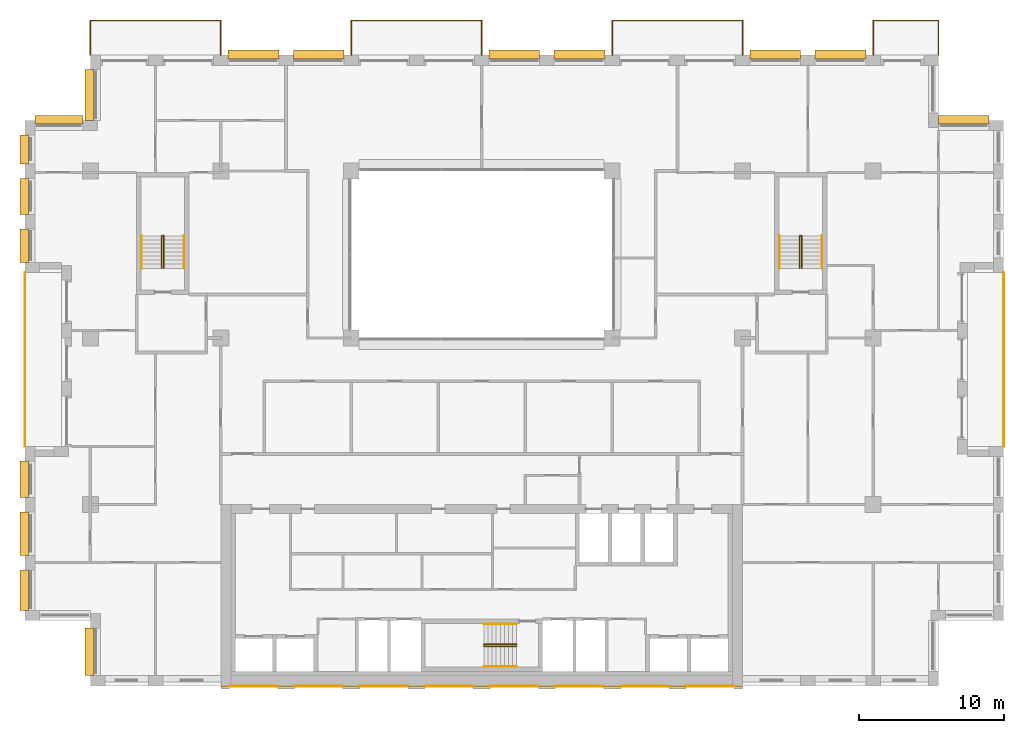
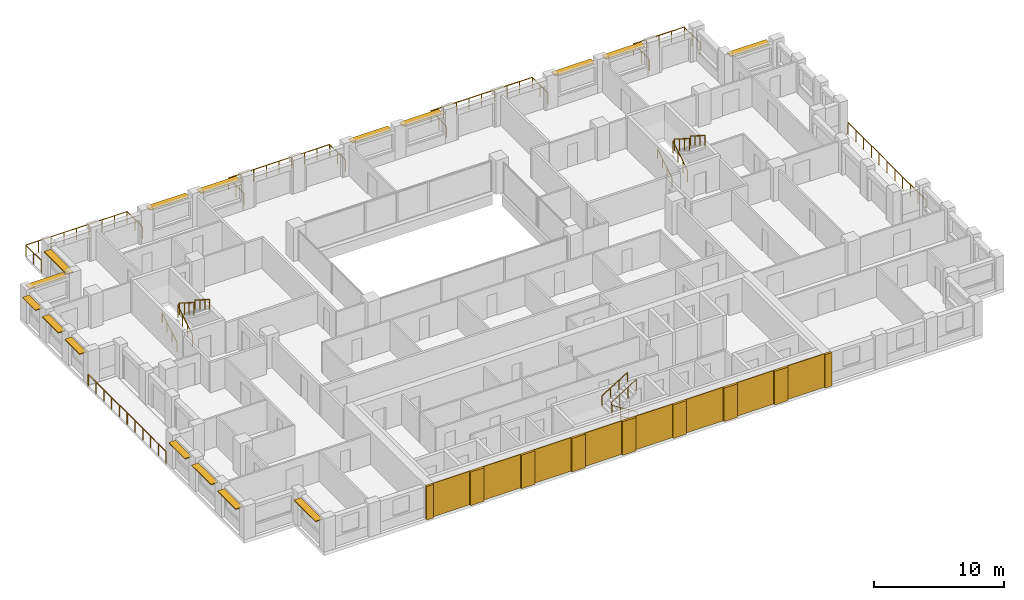
# One storey, part 16 of 16: 17 coverings, 16 shading devices, 15 railings.
"""IFC4 building model written with IfcOpenShell, lengths in metres."""

from ifc_helpers import new_model, si_unit, direction, frame, origin, origin_2d, place, context, subcontext, project, spatial, rectangle, circle, extrude, material, layer, layer_set, type_object, element, save


model = new_model("IFC4")

# Units and contexts
model_context = context("Model", 3, precision=1e-05, world=origin(), true_north=direction((0.0, 1.0)))
body_context = subcontext(model_context, "Body", "Model", "MODEL_VIEW")
ifc_project = project(units=[si_unit("LENGTHUNIT", "METRE"), si_unit("AREAUNIT", "SQUARE_METRE"), si_unit("VOLUMEUNIT", "CUBIC_METRE"), si_unit("PLANEANGLEUNIT", "RADIAN"), si_unit("MASSUNIT", "GRAM", prefix="KILO")], contexts=[model_context])

# Site, building, storey
site_placement = place(None, origin())
site = spatial("IfcSite", under=ifc_project, at=site_placement, CompositionType="ELEMENT")
building_placement = place(site_placement, origin())
building = spatial("IfcBuilding", under=site, at=building_placement, Name="Brigalow Station Residences", CompositionType="ELEMENT")
storey_placement = place(building_placement, frame((0.0, 0.0, 160.199951171875)))
storey = spatial("IfcBuildingStorey", under=building, at=storey_placement, Name="L46", CompositionType="ELEMENT", Elevation=160.199951171875)

# Railings
ifc_material_1 = material(Name="Stainless steel balustrade with laminated glass infill", Category="steel")
railing_type_1 = type_object("IfcRailingType", Name="BALCONY GUARD 1100", PredefinedType="GUARDRAIL", material=ifc_material_1)
railing_1_placement = place(storey_placement, frame((72.0, 16.5, -0.0400390625)))
element("IfcRailing", 1, at=railing_1_placement, inside=storey, type_object=railing_type_1, Name="L46/balcony-guard/1", PredefinedType="GUARDRAIL", context=body_context, shape_type="SweptSolid", body=[
    extrude(circle(Radius=0.02392578125, at=origin_2d()), frame((0.0, 0.0, 1.076171875), z_axis=(0.0, 1.0, 0.0), x_axis=(-1.0, 0.0, 0.0)), (0.0, 0.0, 1.0), 12.0),
    extrude(circle(Radius=0.02099609375, at=origin_2d()), origin(), (0.0, 0.0, 1.0), 1.052001953125),
    extrude(circle(Radius=0.02099609375, at=origin_2d()), frame((0.0, 1.199951171875, 0.0)), (0.0, 0.0, 1.0), 1.052001953125),
    extrude(circle(Radius=0.02099609375, at=origin_2d()), frame((0.0, 2.39990234375, 0.0)), (0.0, 0.0, 1.0), 1.052001953125),
    extrude(circle(Radius=0.02099609375, at=origin_2d()), frame((0.0, 3.60009765625, 0.0)), (0.0, 0.0, 1.0), 1.052001953125),
    extrude(circle(Radius=0.02099609375, at=origin_2d()), frame((0.0, 4.800048828125, 0.0)), (0.0, 0.0, 1.0), 1.052001953125),
    extrude(circle(Radius=0.02099609375, at=origin_2d()), frame((0.0, 6.0, 0.0)), (0.0, 0.0, 1.0), 1.052001953125),
    extrude(circle(Radius=0.02099609375, at=origin_2d()), frame((0.0, 7.199951171875, 0.0)), (0.0, 0.0, 1.0), 1.052001953125),
    extrude(circle(Radius=0.02099609375, at=origin_2d()), frame((0.0, 8.39990234375, 0.0)), (0.0, 0.0, 1.0), 1.052001953125),
    extrude(circle(Radius=0.02099609375, at=origin_2d()), frame((0.0, 9.60009765625, 0.0)), (0.0, 0.0, 1.0), 1.052001953125),
    extrude(circle(Radius=0.02099609375, at=origin_2d()), frame((0.0, 10.800048828125, 0.0)), (0.0, 0.0, 1.0), 1.052001953125),
    extrude(circle(Radius=0.02099609375, at=origin_2d()), frame((0.0, 12.0, 0.0)), (0.0, 0.0, 1.0), 1.052001953125),
])
railing_2_placement = place(storey_placement, frame((67.5, 43.5, -0.0400390625)))
element("IfcRailing", 2, at=railing_2_placement, inside=storey, type_object=railing_type_1, Name="L46/balcony-guard/2", PredefinedType="GUARDRAIL", context=body_context, shape_type="SweptSolid", body=[
    extrude(circle(Radius=0.02392578125, at=origin_2d()), frame((0.0, 0.0, 1.076171875), z_axis=(0.0, 1.0, 0.0), x_axis=(-1.0, 0.0, 0.0)), (0.0, 0.0, 1.0), 2.39990234375),
    extrude(circle(Radius=0.02392578125, at=origin_2d()), frame((0.0, 2.39990234375, 1.076171875), z_axis=(-1.0, 0.0, 0.0), x_axis=(0.0, -1.0, 0.0)), (0.0, 0.0, 1.0), 4.5),
    extrude(circle(Radius=0.02392578125, at=origin_2d()), frame((-4.5, 2.39990234375, 1.076171875), z_axis=(0.0, -1.0, 0.0), x_axis=(1.0, 0.0, 0.0)), (0.0, 0.0, 1.0), 2.39990234375),
    extrude(circle(Radius=0.02099609375, at=origin_2d()), origin(), (0.0, 0.0, 1.0), 1.052001953125),
    extrude(circle(Radius=0.02099609375, at=origin_2d()), frame((0.0, 1.199951171875, 0.0)), (0.0, 0.0, 1.0), 1.052001953125),
    extrude(circle(Radius=0.02099609375, at=origin_2d()), frame((0.0, 2.39990234375, 0.0)), (0.0, 0.0, 1.0), 1.052001953125),
    extrude(circle(Radius=0.02099609375, at=origin_2d()), frame((-1.125, 2.39990234375, 0.0)), (0.0, 0.0, 1.0), 1.052001953125),
    extrude(circle(Radius=0.02099609375, at=origin_2d()), frame((-2.25, 2.39990234375, 0.0)), (0.0, 0.0, 1.0), 1.052001953125),
    extrude(circle(Radius=0.02099609375, at=origin_2d()), frame((-3.375, 2.39990234375, 0.0)), (0.0, 0.0, 1.0), 1.052001953125),
    extrude(circle(Radius=0.02099609375, at=origin_2d()), frame((-4.5, 2.39990234375, 0.0)), (0.0, 0.0, 1.0), 1.052001953125),
    extrude(circle(Radius=0.02099609375, at=origin_2d()), frame((-4.5, 1.199951171875, 0.0)), (0.0, 0.0, 1.0), 1.052001953125),
    extrude(circle(Radius=0.02099609375, at=origin_2d()), frame((-4.5, 0.0, 0.0)), (0.0, 0.0, 1.0), 1.052001953125),
])
railing_3_placement = place(storey_placement, frame((54.0, 43.5, -0.0400390625)))
element("IfcRailing", 3, at=railing_3_placement, inside=storey, type_object=railing_type_1, Name="L46/balcony-guard/3", PredefinedType="GUARDRAIL", context=body_context, shape_type="SweptSolid", body=[
    extrude(circle(Radius=0.02392578125, at=origin_2d()), frame((0.0, 0.0, 1.076171875), z_axis=(0.0, 1.0, 0.0), x_axis=(-1.0, 0.0, 0.0)), (0.0, 0.0, 1.0), 2.39990234375),
    extrude(circle(Radius=0.02392578125, at=origin_2d()), frame((0.0, 2.39990234375, 1.076171875), z_axis=(-1.0, 0.0, 0.0), x_axis=(0.0, -1.0, 0.0)), (0.0, 0.0, 1.0), 9.0),
    extrude(circle(Radius=0.02392578125, at=origin_2d()), frame((-9.0, 2.39990234375, 1.076171875), z_axis=(0.0, -1.0, 0.0), x_axis=(1.0, 0.0, 0.0)), (0.0, 0.0, 1.0), 2.39990234375),
    extrude(circle(Radius=0.02099609375, at=origin_2d()), origin(), (0.0, 0.0, 1.0), 1.052001953125),
    extrude(circle(Radius=0.02099609375, at=origin_2d()), frame((0.0, 1.199951171875, 0.0)), (0.0, 0.0, 1.0), 1.052001953125),
    extrude(circle(Radius=0.02099609375, at=origin_2d()), frame((0.0, 2.39990234375, 0.0)), (0.0, 0.0, 1.0), 1.052001953125),
    extrude(circle(Radius=0.02099609375, at=origin_2d()), frame((-1.125, 2.39990234375, 0.0)), (0.0, 0.0, 1.0), 1.052001953125),
    extrude(circle(Radius=0.02099609375, at=origin_2d()), frame((-2.25, 2.39990234375, 0.0)), (0.0, 0.0, 1.0), 1.052001953125),
    extrude(circle(Radius=0.02099609375, at=origin_2d()), frame((-3.375, 2.39990234375, 0.0)), (0.0, 0.0, 1.0), 1.052001953125),
    extrude(circle(Radius=0.02099609375, at=origin_2d()), frame((-4.5, 2.39990234375, 0.0)), (0.0, 0.0, 1.0), 1.052001953125),
    extrude(circle(Radius=0.02099609375, at=origin_2d()), frame((-5.625, 2.39990234375, 0.0)), (0.0, 0.0, 1.0), 1.052001953125),
    extrude(circle(Radius=0.02099609375, at=origin_2d()), frame((-6.75, 2.39990234375, 0.0)), (0.0, 0.0, 1.0), 1.052001953125),
    extrude(circle(Radius=0.02099609375, at=origin_2d()), frame((-7.875, 2.39990234375, 0.0)), (0.0, 0.0, 1.0), 1.052001953125),
    extrude(circle(Radius=0.02099609375, at=origin_2d()), frame((-9.0, 2.39990234375, 0.0)), (0.0, 0.0, 1.0), 1.052001953125),
    extrude(circle(Radius=0.02099609375, at=origin_2d()), frame((-9.0, 1.199951171875, 0.0)), (0.0, 0.0, 1.0), 1.052001953125),
    extrude(circle(Radius=0.02099609375, at=origin_2d()), frame((-9.0, 0.0, 0.0)), (0.0, 0.0, 1.0), 1.052001953125),
])
railing_4_placement = place(storey_placement, frame((36.0, 43.5, -0.0400390625)))
element("IfcRailing", 4, at=railing_4_placement, inside=storey, type_object=railing_type_1, Name="L46/balcony-guard/4", PredefinedType="GUARDRAIL", context=body_context, shape_type="SweptSolid", body=[
    extrude(circle(Radius=0.02392578125, at=origin_2d()), frame((0.0, 0.0, 1.076171875), z_axis=(0.0, 1.0, 0.0), x_axis=(-1.0, 0.0, 0.0)), (0.0, 0.0, 1.0), 2.39990234375),
    extrude(circle(Radius=0.02392578125, at=origin_2d()), frame((0.0, 2.39990234375, 1.076171875), z_axis=(-1.0, 0.0, 0.0), x_axis=(0.0, -1.0, 0.0)), (0.0, 0.0, 1.0), 9.0),
    extrude(circle(Radius=0.02392578125, at=origin_2d()), frame((-9.0, 2.39990234375, 1.076171875), z_axis=(0.0, -1.0, 0.0), x_axis=(1.0, 0.0, 0.0)), (0.0, 0.0, 1.0), 2.39990234375),
    extrude(circle(Radius=0.02099609375, at=origin_2d()), origin(), (0.0, 0.0, 1.0), 1.052001953125),
    extrude(circle(Radius=0.02099609375, at=origin_2d()), frame((0.0, 1.199951171875, 0.0)), (0.0, 0.0, 1.0), 1.052001953125),
    extrude(circle(Radius=0.02099609375, at=origin_2d()), frame((0.0, 2.39990234375, 0.0)), (0.0, 0.0, 1.0), 1.052001953125),
    extrude(circle(Radius=0.02099609375, at=origin_2d()), frame((-1.125, 2.39990234375, 0.0)), (0.0, 0.0, 1.0), 1.052001953125),
    extrude(circle(Radius=0.02099609375, at=origin_2d()), frame((-2.25, 2.39990234375, 0.0)), (0.0, 0.0, 1.0), 1.052001953125),
    extrude(circle(Radius=0.02099609375, at=origin_2d()), frame((-3.375, 2.39990234375, 0.0)), (0.0, 0.0, 1.0), 1.052001953125),
    extrude(circle(Radius=0.02099609375, at=origin_2d()), frame((-4.5, 2.39990234375, 0.0)), (0.0, 0.0, 1.0), 1.052001953125),
    extrude(circle(Radius=0.02099609375, at=origin_2d()), frame((-5.625, 2.39990234375, 0.0)), (0.0, 0.0, 1.0), 1.052001953125),
    extrude(circle(Radius=0.02099609375, at=origin_2d()), frame((-6.75, 2.39990234375, 0.0)), (0.0, 0.0, 1.0), 1.052001953125),
    extrude(circle(Radius=0.02099609375, at=origin_2d()), frame((-7.875, 2.39990234375, 0.0)), (0.0, 0.0, 1.0), 1.052001953125),
    extrude(circle(Radius=0.02099609375, at=origin_2d()), frame((-9.0, 2.39990234375, 0.0)), (0.0, 0.0, 1.0), 1.052001953125),
    extrude(circle(Radius=0.02099609375, at=origin_2d()), frame((-9.0, 1.199951171875, 0.0)), (0.0, 0.0, 1.0), 1.052001953125),
    extrude(circle(Radius=0.02099609375, at=origin_2d()), frame((-9.0, 0.0, 0.0)), (0.0, 0.0, 1.0), 1.052001953125),
])
railing_5_placement = place(storey_placement, frame((18.0, 43.5, -0.0400390625)))
element("IfcRailing", 5, at=railing_5_placement, inside=storey, type_object=railing_type_1, Name="L46/balcony-guard/5", PredefinedType="GUARDRAIL", context=body_context, shape_type="SweptSolid", body=[
    extrude(circle(Radius=0.02392578125, at=origin_2d()), frame((0.0, 0.0, 1.076171875), z_axis=(0.0, 1.0, 0.0), x_axis=(-1.0, 0.0, 0.0)), (0.0, 0.0, 1.0), 2.39990234375),
    extrude(circle(Radius=0.02392578125, at=origin_2d()), frame((0.0, 2.39990234375, 1.076171875), z_axis=(-1.0, 0.0, 0.0), x_axis=(0.0, -1.0, 0.0)), (0.0, 0.0, 1.0), 9.0),
    extrude(circle(Radius=0.02392578125, at=origin_2d()), frame((-9.0, 2.39990234375, 1.076171875), z_axis=(0.0, -1.0, 0.0), x_axis=(1.0, 0.0, 0.0)), (0.0, 0.0, 1.0), 2.39990234375),
    extrude(circle(Radius=0.02099609375, at=origin_2d()), origin(), (0.0, 0.0, 1.0), 1.052001953125),
    extrude(circle(Radius=0.02099609375, at=origin_2d()), frame((0.0, 1.199951171875, 0.0)), (0.0, 0.0, 1.0), 1.052001953125),
    extrude(circle(Radius=0.02099609375, at=origin_2d()), frame((0.0, 2.39990234375, 0.0)), (0.0, 0.0, 1.0), 1.052001953125),
    extrude(circle(Radius=0.02099609375, at=origin_2d()), frame((-1.125, 2.39990234375, 0.0)), (0.0, 0.0, 1.0), 1.052001953125),
    extrude(circle(Radius=0.02099609375, at=origin_2d()), frame((-2.25, 2.39990234375, 0.0)), (0.0, 0.0, 1.0), 1.052001953125),
    extrude(circle(Radius=0.02099609375, at=origin_2d()), frame((-3.375, 2.39990234375, 0.0)), (0.0, 0.0, 1.0), 1.052001953125),
    extrude(circle(Radius=0.02099609375, at=origin_2d()), frame((-4.5, 2.39990234375, 0.0)), (0.0, 0.0, 1.0), 1.052001953125),
    extrude(circle(Radius=0.02099609375, at=origin_2d()), frame((-5.625, 2.39990234375, 0.0)), (0.0, 0.0, 1.0), 1.052001953125),
    extrude(circle(Radius=0.02099609375, at=origin_2d()), frame((-6.75, 2.39990234375, 0.0)), (0.0, 0.0, 1.0), 1.052001953125),
    extrude(circle(Radius=0.02099609375, at=origin_2d()), frame((-7.875, 2.39990234375, 0.0)), (0.0, 0.0, 1.0), 1.052001953125),
    extrude(circle(Radius=0.02099609375, at=origin_2d()), frame((-9.0, 2.39990234375, 0.0)), (0.0, 0.0, 1.0), 1.052001953125),
    extrude(circle(Radius=0.02099609375, at=origin_2d()), frame((-9.0, 1.199951171875, 0.0)), (0.0, 0.0, 1.0), 1.052001953125),
    extrude(circle(Radius=0.02099609375, at=origin_2d()), frame((-9.0, 0.0, 0.0)), (0.0, 0.0, 1.0), 1.052001953125),
])
railing_6_placement = place(storey_placement, frame((4.5, 28.5, -0.0400390625)))
element("IfcRailing", 6, at=railing_6_placement, inside=storey, type_object=railing_type_1, Name="L46/balcony-guard/6", PredefinedType="GUARDRAIL", context=body_context, shape_type="SweptSolid", body=[
    extrude(circle(Radius=0.02392578125, at=origin_2d()), frame((0.0, 0.0, 1.076171875), z_axis=(0.0, -1.0, 0.0), x_axis=(1.0, 0.0, 0.0)), (0.0, 0.0, 1.0), 12.0),
    extrude(circle(Radius=0.02099609375, at=origin_2d()), origin(), (0.0, 0.0, 1.0), 1.052001953125),
    extrude(circle(Radius=0.02099609375, at=origin_2d()), frame((0.0, -1.199951171875, 0.0)), (0.0, 0.0, 1.0), 1.052001953125),
    extrude(circle(Radius=0.02099609375, at=origin_2d()), frame((0.0, -2.39990234375, 0.0)), (0.0, 0.0, 1.0), 1.052001953125),
    extrude(circle(Radius=0.02099609375, at=origin_2d()), frame((0.0, -3.60009765625, 0.0)), (0.0, 0.0, 1.0), 1.052001953125),
    extrude(circle(Radius=0.02099609375, at=origin_2d()), frame((0.0, -4.800048828125, 0.0)), (0.0, 0.0, 1.0), 1.052001953125),
    extrude(circle(Radius=0.02099609375, at=origin_2d()), frame((0.0, -6.0, 0.0)), (0.0, 0.0, 1.0), 1.052001953125),
    extrude(circle(Radius=0.02099609375, at=origin_2d()), frame((0.0, -7.199951171875, 0.0)), (0.0, 0.0, 1.0), 1.052001953125),
    extrude(circle(Radius=0.02099609375, at=origin_2d()), frame((0.0, -8.39990234375, 0.0)), (0.0, 0.0, 1.0), 1.052001953125),
    extrude(circle(Radius=0.02099609375, at=origin_2d()), frame((0.0, -9.60009765625, 0.0)), (0.0, 0.0, 1.0), 1.052001953125),
    extrude(circle(Radius=0.02099609375, at=origin_2d()), frame((0.0, -10.800048828125, 0.0)), (0.0, 0.0, 1.0), 1.052001953125),
    extrude(circle(Radius=0.02099609375, at=origin_2d()), frame((0.0, -12.0, 0.0)), (0.0, 0.0, 1.0), 1.052001953125),
])

# Coverings
ifc_material_2 = material(Name="Clay brick masonry", Category="masonry")
ifc_layer_1 = layer(ifc_material_2, 0.06005859375)
ifc_layer_set_1 = layer_set([ifc_layer_1], Name="BRICK PANEL FACING 60")
covering_type_1 = type_object("IfcCoveringType", Name="BRICK PANEL FACING 60", PredefinedType="CLADDING", material=ifc_layer_set_1)
for number, where, z_axis, x_axis, name in (
    (7, (20.25, -0.030029296875, 0.0), (0.0, 0.0, 1.0), (1.0, 0.0, 0.0), "L46/rear-facing/panel-1"),
    (8, (24.75, -0.030029296875, 0.0), (0.0, 0.0, 1.0), (1.0, 0.0, 0.0), "L46/rear-facing/panel-2"),
    (9, (29.25, -0.030029296875, 0.0), (0.0, 0.0, 1.0), (1.0, 0.0, 0.0), "L46/rear-facing/panel-3"),
    (10, (33.75, -0.030029296875, 0.0), (0.0, 0.0, 1.0), (1.0, 0.0, 0.0), "L46/rear-facing/panel-4"),
    (11, (38.25, -0.030029296875, 0.0), (0.0, 0.0, 1.0), (1.0, 0.0, 0.0), "L46/rear-facing/panel-5"),
    (12, (42.75, -0.030029296875, 0.0), (0.0, 0.0, 1.0), (1.0, 0.0, 0.0), "L46/rear-facing/panel-6"),
    (13, (47.25, -0.030029296875, 0.0), (0.0, 0.0, 1.0), (1.0, 0.0, 0.0), "L46/rear-facing/panel-7"),
    (14, (51.75, -0.030029296875, 0.0), (0.0, 0.0, 1.0), (1.0, 0.0, 0.0), "L46/rear-facing/panel-8"),
):
    element("IfcCovering", number, at=place(storey_placement, frame(where, z_axis=z_axis, x_axis=x_axis)), inside=storey, type_object=covering_type_1, Name=name, PredefinedType="CLADDING", context=body_context, shape_type="SweptSolid", body=[
        extrude(rectangle(XDim=3.300048828125, YDim=0.06005859375, at=origin_2d()), origin(), (0.0, 0.0, 1.0), 3.14990234375),
    ])
ifc_material_3 = material(Name="Clay brick masonry", Category="masonry")
ifc_layer_2 = layer(ifc_material_3, 0.199951171875)
ifc_layer_set_2 = layer_set([ifc_layer_2], Name="BRICK PIER FACING 200")
covering_type_2 = type_object("IfcCoveringType", Name="BRICK PIER FACING 200", PredefinedType="CLADDING", material=ifc_layer_set_2)
covering_1_placement = place(storey_placement, frame((18.300048828125, -0.10009765625, 0.0), z_axis=(0.0, 0.0, 1.0), x_axis=(1.0, 0.0, 0.0)))
element("IfcCovering", 15, at=covering_1_placement, inside=storey, type_object=covering_type_2, Name="L46/rear-facing/pier-1", PredefinedType="CLADDING", context=body_context, shape_type="SweptSolid", body=[
    extrude(rectangle(XDim=0.60009765625, YDim=0.199951171875, at=origin_2d()), origin(), (0.0, 0.0, 1.0), 3.14990234375),
])
for number, where, z_axis, x_axis, name in (
    (16, (22.5, -0.10009765625, 0.0), (0.0, 0.0, 1.0), (1.0, 0.0, 0.0), "L46/rear-facing/pier-2"),
    (17, (27.0, -0.10009765625, 0.0), (0.0, 0.0, 1.0), (1.0, 0.0, 0.0), "L46/rear-facing/pier-3"),
    (18, (31.5, -0.10009765625, 0.0), (0.0, 0.0, 1.0), (1.0, 0.0, 0.0), "L46/rear-facing/pier-4"),
    (19, (36.0, -0.10009765625, 0.0), (0.0, 0.0, 1.0), (1.0, 0.0, 0.0), "L46/rear-facing/pier-5"),
    (20, (40.5, -0.10009765625, 0.0), (0.0, 0.0, 1.0), (1.0, 0.0, 0.0), "L46/rear-facing/pier-6"),
    (21, (45.0, -0.10009765625, 0.0), (0.0, 0.0, 1.0), (1.0, 0.0, 0.0), "L46/rear-facing/pier-7"),
    (22, (49.5, -0.10009765625, 0.0), (0.0, 0.0, 1.0), (1.0, 0.0, 0.0), "L46/rear-facing/pier-8"),
):
    element("IfcCovering", number, at=place(storey_placement, frame(where, z_axis=z_axis, x_axis=x_axis)), inside=storey, type_object=covering_type_2, Name=name, PredefinedType="CLADDING", context=body_context, shape_type="SweptSolid", body=[
        extrude(rectangle(XDim=1.199951171875, YDim=0.199951171875, at=origin_2d()), origin(), (0.0, 0.0, 1.0), 3.14990234375),
    ])
covering_2_placement = place(storey_placement, frame((53.699951171875, -0.10009765625, 0.0), z_axis=(0.0, 0.0, 1.0), x_axis=(1.0, 0.0, 0.0)))
element("IfcCovering", 23, at=covering_2_placement, inside=storey, type_object=covering_type_2, Name="L46/rear-facing/pier-9", PredefinedType="CLADDING", context=body_context, shape_type="SweptSolid", body=[
    extrude(rectangle(XDim=0.60009765625, YDim=0.199951171875, at=origin_2d()), origin(), (0.0, 0.0, 1.0), 3.14990234375),
])

# Railings
ifc_material_4 = material(Name="Stainless steel balustrade", Category="steel")
railing_type_2 = type_object("IfcRailingType", Name="STAIR GUARD 1100", PredefinedType="GUARDRAIL", material=ifc_material_4)
railing_7_placement = place(storey_placement, frame((38.39990234375, 2.72998046875, 0.175048828125)))
element("IfcRailing", 24, at=railing_7_placement, inside=storey, type_object=railing_type_2, Name="GUARD GR-2", PredefinedType="GUARDRAIL", context=body_context, shape_type="SweptSolid", body=[
    extrude(circle(Radius=0.02392578125, at=origin_2d()), frame((0.0, 0.0, 1.076171875), z_axis=(-0.848013881152, 0.0, 0.529974015752), x_axis=(0.0, -1.0, 0.0)), (0.0, 0.0, 1.0), 2.641357421875),
    extrude(circle(Radius=0.02392578125, at=origin_2d()), frame((-2.239990234375, 0.0, 2.47607421875), z_axis=(0.0, 0.624960567888, 0.780656319122), x_axis=(-1.0, 0.0, 0.0)), (0.0, 0.0, 1.0), 0.22412109375),
    extrude(circle(Radius=0.02392578125, at=origin_2d()), frame((-2.239990234375, 0.14013671875, 2.65087890625), z_axis=(0.847972341737, 0.0, 0.530040477369), x_axis=(0.0, 1.0, 0.0)), (0.0, 0.0, 1.0), 2.6416015625),
    extrude(circle(Radius=0.02099609375, at=origin_2d()), origin(), (0.0, 0.0, 1.0), 1.052001953125),
    extrude(circle(Radius=0.02099609375, at=origin_2d()), frame((-0.74658203125, 0.0, 0.466552734375)), (0.0, 0.0, 1.0), 1.052001953125),
    extrude(circle(Radius=0.02099609375, at=origin_2d()), frame((-1.493408203125, 0.0, 0.933349609375)), (0.0, 0.0, 1.0), 1.052001953125),
    extrude(circle(Radius=0.02099609375, at=origin_2d()), frame((-2.239990234375, 0.0, 1.39990234375)), (0.0, 0.0, 1.0), 1.052001953125),
    extrude(circle(Radius=0.02099609375, at=origin_2d()), frame((-2.239990234375, 0.14013671875, 1.574951171875)), (0.0, 0.0, 1.0), 1.052001953125),
    extrude(circle(Radius=0.02099609375, at=origin_2d()), frame((-1.493408203125, 0.14013671875, 2.041748046875)), (0.0, 0.0, 1.0), 1.052001953125),
    extrude(circle(Radius=0.02099609375, at=origin_2d()), frame((-0.74658203125, 0.14013671875, 2.50830078125)), (0.0, 0.0, 1.0), 1.052001953125),
    extrude(circle(Radius=0.02099609375, at=origin_2d()), frame((0.0, 0.14013671875, 2.97509765625)), (0.0, 0.0, 1.0), 1.052001953125),
])
for number, where, name in (
    (25, (13.929931640625, 28.800048828125, 0.175048828125), "GUARD GR-1"),
    (26, (57.929931640625, 28.800048828125, 0.175048828125), "GUARD GR-3"),
):
    element("IfcRailing", number, at=place(storey_placement, frame(where)), inside=storey, type_object=railing_type_2, Name=name, PredefinedType="GUARDRAIL", context=body_context, shape_type="SweptSolid", body=[
        extrude(circle(Radius=0.02392578125, at=origin_2d()), frame((0.0, 0.0, 1.076171875), z_axis=(0.0, 0.848013881152, 0.529974015752), x_axis=(-1.0, 0.0, 0.0)), (0.0, 0.0, 1.0), 2.641357421875),
        extrude(circle(Radius=0.02392578125, at=origin_2d()), frame((0.0, 2.239990234375, 2.47607421875), z_axis=(0.624960567888, 0.0, 0.780656319122), x_axis=(0.0, 1.0, 0.0)), (0.0, 0.0, 1.0), 0.22412109375),
        extrude(circle(Radius=0.02392578125, at=origin_2d()), frame((0.14013671875, 2.239990234375, 2.65087890625), z_axis=(0.0, -0.847972341737, 0.530040477369), x_axis=(1.0, 0.0, 0.0)), (0.0, 0.0, 1.0), 2.6416015625),
        extrude(circle(Radius=0.02099609375, at=origin_2d()), origin(), (0.0, 0.0, 1.0), 1.052001953125),
        extrude(circle(Radius=0.02099609375, at=origin_2d()), frame((0.0, 0.74658203125, 0.466552734375)), (0.0, 0.0, 1.0), 1.052001953125),
        extrude(circle(Radius=0.02099609375, at=origin_2d()), frame((0.0, 1.493408203125, 0.933349609375)), (0.0, 0.0, 1.0), 1.052001953125),
        extrude(circle(Radius=0.02099609375, at=origin_2d()), frame((0.0, 2.239990234375, 1.39990234375)), (0.0, 0.0, 1.0), 1.052001953125),
        extrude(circle(Radius=0.02099609375, at=origin_2d()), frame((0.14013671875, 2.239990234375, 1.574951171875)), (0.0, 0.0, 1.0), 1.052001953125),
        extrude(circle(Radius=0.02099609375, at=origin_2d()), frame((0.14013671875, 1.493408203125, 2.041748046875)), (0.0, 0.0, 1.0), 1.052001953125),
        extrude(circle(Radius=0.02099609375, at=origin_2d()), frame((0.14013671875, 0.74658203125, 2.50830078125)), (0.0, 0.0, 1.0), 1.052001953125),
        extrude(circle(Radius=0.02099609375, at=origin_2d()), frame((0.14013671875, 0.0, 2.97509765625)), (0.0, 0.0, 1.0), 1.052001953125),
    ])
ifc_material_5 = material(Name="Stainless steel handrail", Category="steel")
railing_type_3 = type_object("IfcRailingType", Name="STAIR HANDRAIL 900", PredefinedType="HANDRAIL", material=ifc_material_5)
railing_8_placement = place(storey_placement, frame((38.39990234375, 1.340087890625, 0.175048828125)))
element("IfcRailing", 27, at=railing_8_placement, inside=storey, type_object=railing_type_3, Name="HANDRAIL HR-21", PredefinedType="HANDRAIL", context=body_context, shape_type="SweptSolid", body=[
    extrude(circle(Radius=0.02392578125, at=origin_2d()), frame((0.0, 0.0, 0.8759765625), z_axis=(-0.848013881152, 0.0, 0.529974015752), x_axis=(0.0, -1.0, 0.0)), (0.0, 0.0, 1.0), 2.641357421875),
    extrude(circle(Radius=0.02099609375, at=origin_2d()), origin(), (0.0, 0.0, 1.0), 0.851806640625),
    extrude(circle(Radius=0.02099609375, at=origin_2d()), frame((-0.74658203125, 0.0, 0.466552734375)), (0.0, 0.0, 1.0), 0.851806640625),
    extrude(circle(Radius=0.02099609375, at=origin_2d()), frame((-1.493408203125, 0.0, 0.933349609375)), (0.0, 0.0, 1.0), 0.851806640625),
    extrude(circle(Radius=0.02099609375, at=origin_2d()), frame((-2.239990234375, 0.0, 1.39990234375)), (0.0, 0.0, 1.0), 0.851806640625),
])
railing_9_placement = place(storey_placement, frame((36.159912109375, 4.260009765625, 1.75)))
element("IfcRailing", 28, at=railing_9_placement, inside=storey, type_object=railing_type_3, Name="HANDRAIL HR-22", PredefinedType="HANDRAIL", context=body_context, shape_type="SweptSolid", body=[
    extrude(circle(Radius=0.02392578125, at=origin_2d()), frame((0.0, 0.0, 0.8759765625), z_axis=(0.847972341737, 0.0, 0.530040477369), x_axis=(0.0, 1.0, 0.0)), (0.0, 0.0, 1.0), 2.6416015625),
    extrude(circle(Radius=0.02099609375, at=origin_2d()), origin(), (0.0, 0.0, 1.0), 0.851806640625),
    extrude(circle(Radius=0.02099609375, at=origin_2d()), frame((0.74658203125, 0.0, 0.466796875)), (0.0, 0.0, 1.0), 0.851806640625),
    extrude(circle(Radius=0.02099609375, at=origin_2d()), frame((1.493408203125, 0.0, 0.933349609375)), (0.0, 0.0, 1.0), 0.851806640625),
    extrude(circle(Radius=0.02099609375, at=origin_2d()), frame((2.239990234375, 0.0, 1.400146484375)), (0.0, 0.0, 1.0), 0.851806640625),
])
railing_10_placement = place(storey_placement, frame((12.5400390625, 28.800048828125, 0.175048828125)))
element("IfcRailing", 29, at=railing_10_placement, inside=storey, type_object=railing_type_3, Name="HANDRAIL HR-11", PredefinedType="HANDRAIL", context=body_context, shape_type="SweptSolid", body=[
    extrude(circle(Radius=0.02392578125, at=origin_2d()), frame((0.0, 0.0, 0.8759765625), z_axis=(0.0, 0.848013881152, 0.529974015752), x_axis=(-1.0, 0.0, 0.0)), (0.0, 0.0, 1.0), 2.641357421875),
    extrude(circle(Radius=0.02099609375, at=origin_2d()), origin(), (0.0, 0.0, 1.0), 0.851806640625),
    extrude(circle(Radius=0.02099609375, at=origin_2d()), frame((0.0, 0.74658203125, 0.466552734375)), (0.0, 0.0, 1.0), 0.851806640625),
    extrude(circle(Radius=0.02099609375, at=origin_2d()), frame((0.0, 1.493408203125, 0.933349609375)), (0.0, 0.0, 1.0), 0.851806640625),
    extrude(circle(Radius=0.02099609375, at=origin_2d()), frame((0.0, 2.239990234375, 1.39990234375)), (0.0, 0.0, 1.0), 0.851806640625),
])
railing_11_placement = place(storey_placement, frame((15.4599609375, 31.0400390625, 1.75)))
element("IfcRailing", 30, at=railing_11_placement, inside=storey, type_object=railing_type_3, Name="HANDRAIL HR-12", PredefinedType="HANDRAIL", context=body_context, shape_type="SweptSolid", body=[
    extrude(circle(Radius=0.02392578125, at=origin_2d()), frame((0.0, 0.0, 0.8759765625), z_axis=(0.0, -0.847972341737, 0.530040477369), x_axis=(1.0, 0.0, 0.0)), (0.0, 0.0, 1.0), 2.6416015625),
    extrude(circle(Radius=0.02099609375, at=origin_2d()), origin(), (0.0, 0.0, 1.0), 0.851806640625),
    extrude(circle(Radius=0.02099609375, at=origin_2d()), frame((0.0, -0.74658203125, 0.466796875)), (0.0, 0.0, 1.0), 0.851806640625),
    extrude(circle(Radius=0.02099609375, at=origin_2d()), frame((0.0, -1.493408203125, 0.933349609375)), (0.0, 0.0, 1.0), 0.851806640625),
    extrude(circle(Radius=0.02099609375, at=origin_2d()), frame((0.0, -2.239990234375, 1.400146484375)), (0.0, 0.0, 1.0), 0.851806640625),
])
railing_12_placement = place(storey_placement, frame((56.5400390625, 28.800048828125, 0.175048828125)))
element("IfcRailing", 31, at=railing_12_placement, inside=storey, type_object=railing_type_3, Name="HANDRAIL HR-31", PredefinedType="HANDRAIL", context=body_context, shape_type="SweptSolid", body=[
    extrude(circle(Radius=0.02392578125, at=origin_2d()), frame((0.0, 0.0, 0.8759765625), z_axis=(0.0, 0.848013881152, 0.529974015752), x_axis=(-1.0, 0.0, 0.0)), (0.0, 0.0, 1.0), 2.641357421875),
    extrude(circle(Radius=0.02099609375, at=origin_2d()), origin(), (0.0, 0.0, 1.0), 0.851806640625),
    extrude(circle(Radius=0.02099609375, at=origin_2d()), frame((0.0, 0.74658203125, 0.466552734375)), (0.0, 0.0, 1.0), 0.851806640625),
    extrude(circle(Radius=0.02099609375, at=origin_2d()), frame((0.0, 1.493408203125, 0.933349609375)), (0.0, 0.0, 1.0), 0.851806640625),
    extrude(circle(Radius=0.02099609375, at=origin_2d()), frame((0.0, 2.239990234375, 1.39990234375)), (0.0, 0.0, 1.0), 0.851806640625),
])
railing_13_placement = place(storey_placement, frame((59.4599609375, 31.0400390625, 1.75)))
element("IfcRailing", 32, at=railing_13_placement, inside=storey, type_object=railing_type_3, Name="HANDRAIL HR-32", PredefinedType="HANDRAIL", context=body_context, shape_type="SweptSolid", body=[
    extrude(circle(Radius=0.02392578125, at=origin_2d()), frame((0.0, 0.0, 0.8759765625), z_axis=(0.0, -0.847972341737, 0.530040477369), x_axis=(1.0, 0.0, 0.0)), (0.0, 0.0, 1.0), 2.6416015625),
    extrude(circle(Radius=0.02099609375, at=origin_2d()), origin(), (0.0, 0.0, 1.0), 0.851806640625),
    extrude(circle(Radius=0.02099609375, at=origin_2d()), frame((0.0, -0.74658203125, 0.466796875)), (0.0, 0.0, 1.0), 0.851806640625),
    extrude(circle(Radius=0.02099609375, at=origin_2d()), frame((0.0, -1.493408203125, 0.933349609375)), (0.0, 0.0, 1.0), 0.851806640625),
    extrude(circle(Radius=0.02099609375, at=origin_2d()), frame((0.0, -2.239990234375, 1.400146484375)), (0.0, 0.0, 1.0), 0.851806640625),
])

# Shading devices
ifc_material_6 = material(Name="Powder-coated extruded aluminium blade", Category="aluminium")
ifc_layer_3 = layer(ifc_material_6, 0.080078125)
ifc_layer_set_3 = layer_set([ifc_layer_3], Name="SUNSHADE BLADE 600x80")
shading_device_type = type_object("IfcShadingDeviceType", Name="SUNSHADE BLADE 600x80", PredefinedType="JALOUSIE", material=ifc_layer_set_3)
for number, where, z_axis, x_axis, name in (
    (33, (69.25, 39.050048828125, 2.550048828125), (0.0, 0.0, 1.0), (-1.0, 0.0, 0.0), "L46/blade/W-L46-20"),
    (34, (60.75, 43.550048828125, 2.550048828125), (0.0, 0.0, 1.0), (-1.0, 0.0, 0.0), "L46/blade/W-L46-23"),
    (35, (56.25, 43.550048828125, 2.550048828125), (0.0, 0.0, 1.0), (-1.0, 0.0, 0.0), "L46/blade/W-L46-24"),
    (36, (42.75, 43.550048828125, 2.550048828125), (0.0, 0.0, 1.0), (-1.0, 0.0, 0.0), "L46/blade/W-L46-27"),
    (37, (38.25, 43.550048828125, 2.550048828125), (0.0, 0.0, 1.0), (-1.0, 0.0, 0.0), "L46/blade/W-L46-28"),
    (38, (24.75, 43.550048828125, 2.550048828125), (0.0, 0.0, 1.0), (-1.0, 0.0, 0.0), "L46/blade/W-L46-31"),
    (39, (20.25, 43.550048828125, 2.550048828125), (0.0, 0.0, 1.0), (-1.0, 0.0, 0.0), "L46/blade/W-L46-32"),
    (40, (8.949951171875, 40.75, 2.550048828125), (0.0, 0.0, 1.0), (0.0, -1.0, 0.0), "L46/blade/W-L46-35"),
):
    element("IfcShadingDevice", number, at=place(storey_placement, frame(where, z_axis=z_axis, x_axis=x_axis)), inside=storey, type_object=shading_device_type, Name=name, PredefinedType="JALOUSIE", context=body_context, shape_type="SweptSolid", body=[
        extrude(rectangle(XDim=3.5, YDim=0.60009765625, at=origin_2d()), origin(), (0.0, 0.0, 1.0), 0.080078125),
    ])
shading_device_1_placement = place(storey_placement, frame((6.85009765625, 39.050048828125, 2.550048828125), z_axis=(0.0, 0.0, 1.0), x_axis=(-1.0, 0.0, 0.0)))
element("IfcShadingDevice", 41, at=shading_device_1_placement, inside=storey, type_object=shading_device_type, Name="L46/blade/W-L46-36", PredefinedType="JALOUSIE", context=body_context, shape_type="SweptSolid", body=[
    extrude(rectangle(XDim=3.300048828125, YDim=0.60009765625, at=origin_2d()), origin(), (0.0, 0.0, 1.0), 0.080078125),
])
shading_device_2_placement = place(storey_placement, frame((4.449951171875, 37.0, 2.550048828125), z_axis=(0.0, 0.0, 1.0), x_axis=(0.0, -1.0, 0.0)))
element("IfcShadingDevice", 42, at=shading_device_2_placement, inside=storey, type_object=shading_device_type, Name="L46/blade/W-L46-37", PredefinedType="JALOUSIE", context=body_context, shape_type="SweptSolid", body=[
    extrude(rectangle(XDim=2.0, YDim=0.60009765625, at=origin_2d()), origin(), (0.0, 0.0, 1.0), 0.080078125),
])
shading_device_3_placement = place(storey_placement, frame((4.449951171875, 33.75, 2.550048828125), z_axis=(0.0, 0.0, 1.0), x_axis=(0.0, -1.0, 0.0)))
element("IfcShadingDevice", 43, at=shading_device_3_placement, inside=storey, type_object=shading_device_type, Name="L46/blade/W-L46-38", PredefinedType="JALOUSIE", context=body_context, shape_type="SweptSolid", body=[
    extrude(rectangle(XDim=2.5, YDim=0.60009765625, at=origin_2d()), origin(), (0.0, 0.0, 1.0), 0.080078125),
])
shading_device_4_placement = place(storey_placement, frame((4.449951171875, 30.35009765625, 2.550048828125), z_axis=(0.0, 0.0, 1.0), x_axis=(0.0, -1.0, 0.0)))
element("IfcShadingDevice", 44, at=shading_device_4_placement, inside=storey, type_object=shading_device_type, Name="L46/blade/W-L46-39", PredefinedType="JALOUSIE", context=body_context, shape_type="SweptSolid", body=[
    extrude(rectangle(XDim=2.300048828125, YDim=0.60009765625, at=origin_2d()), origin(), (0.0, 0.0, 1.0), 0.080078125),
])
shading_device_5_placement = place(storey_placement, frame((4.449951171875, 14.25, 2.550048828125), z_axis=(0.0, 0.0, 1.0), x_axis=(0.0, -1.0, 0.0)))
element("IfcShadingDevice", 45, at=shading_device_5_placement, inside=storey, type_object=shading_device_type, Name="L46/blade/W-L46-45", PredefinedType="JALOUSIE", context=body_context, shape_type="SweptSolid", body=[
    extrude(rectangle(XDim=2.5, YDim=0.60009765625, at=origin_2d()), origin(), (0.0, 0.0, 1.0), 0.080078125),
])
shading_device_6_placement = place(storey_placement, frame((4.449951171875, 10.5, 2.550048828125), z_axis=(0.0, 0.0, 1.0), x_axis=(0.0, -1.0, 0.0)))
element("IfcShadingDevice", 46, at=shading_device_6_placement, inside=storey, type_object=shading_device_type, Name="L46/blade/W-L46-46", PredefinedType="JALOUSIE", context=body_context, shape_type="SweptSolid", body=[
    extrude(rectangle(XDim=3.0, YDim=0.60009765625, at=origin_2d()), origin(), (0.0, 0.0, 1.0), 0.080078125),
])
shading_device_7_placement = place(storey_placement, frame((4.449951171875, 6.60009765625, 2.550048828125), z_axis=(0.0, 0.0, 1.0), x_axis=(0.0, -1.0, 0.0)))
element("IfcShadingDevice", 47, at=shading_device_7_placement, inside=storey, type_object=shading_device_type, Name="L46/blade/W-L46-47", PredefinedType="JALOUSIE", context=body_context, shape_type="SweptSolid", body=[
    extrude(rectangle(XDim=2.800048828125, YDim=0.60009765625, at=origin_2d()), origin(), (0.0, 0.0, 1.0), 0.080078125),
])
shading_device_8_placement = place(storey_placement, frame((8.949951171875, 2.35009765625, 2.550048828125), z_axis=(0.0, 0.0, 1.0), x_axis=(0.0, -1.0, 0.0)))
element("IfcShadingDevice", 48, at=shading_device_8_placement, inside=storey, type_object=shading_device_type, Name="L46/blade/W-L46-49", PredefinedType="JALOUSIE", context=body_context, shape_type="SweptSolid", body=[
    extrude(rectangle(XDim=3.300048828125, YDim=0.60009765625, at=origin_2d()), origin(), (0.0, 0.0, 1.0), 0.080078125),
])

save(model, "model.ifc")
